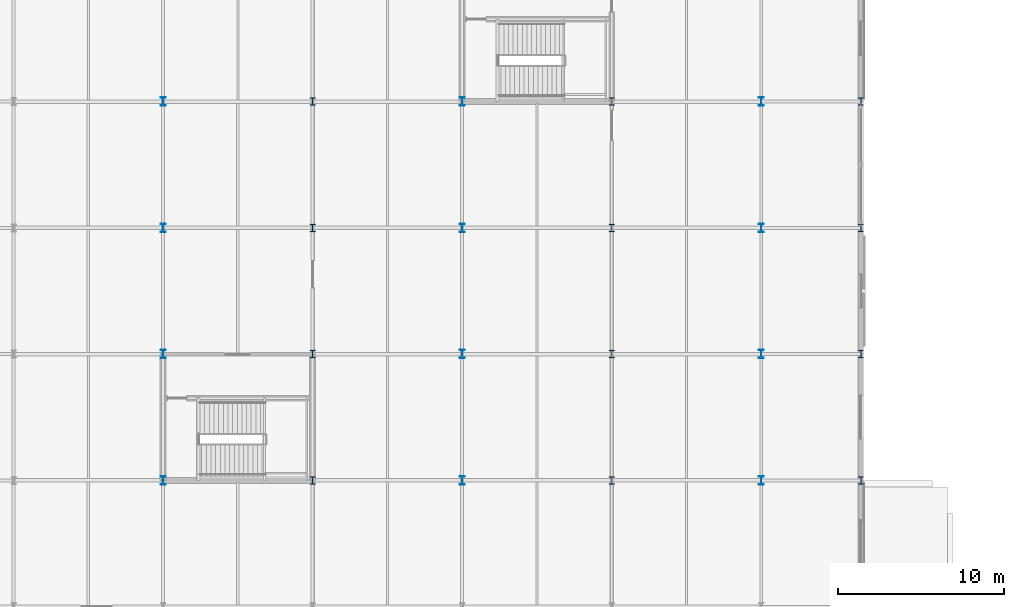
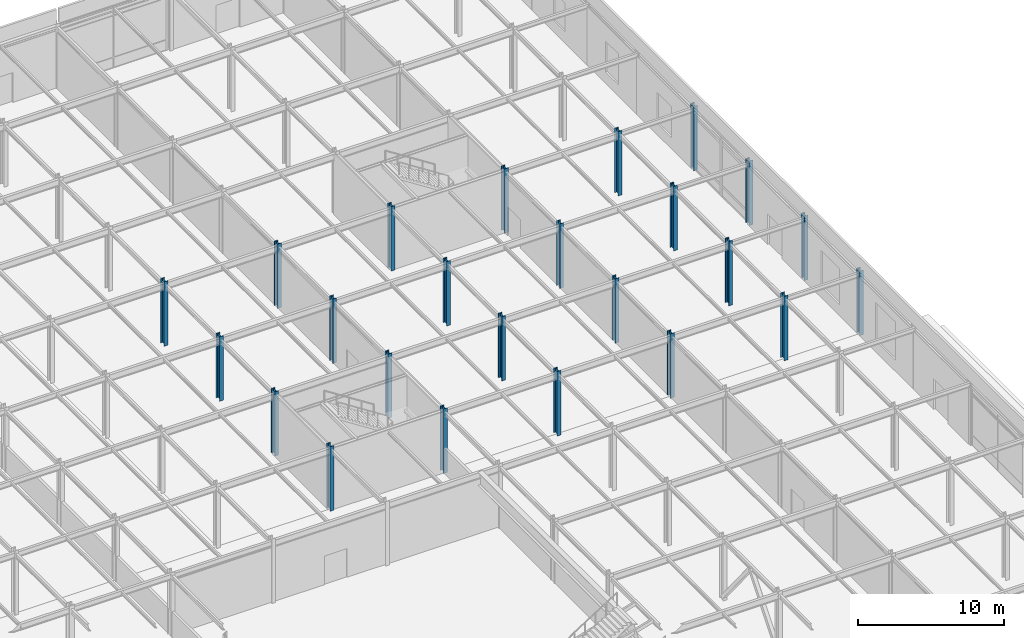
# One storey, part 19 of 89: 24 columns.
"""IFC4 building model written with IfcOpenShell, lengths in metres."""

from ifc_helpers import new_model, si_unit, direction, frame, origin, origin_2d, place, context, subcontext, project, spatial, i_section, extrude, material, material_profile, profile_set, type_object, element, save


model = new_model("IFC4")

# Units and contexts
model_context = context("Model", 3, precision=1e-05, world=origin(), true_north=direction((0.0, 1.0)))
body_context = subcontext(model_context, "Body", "Model", "MODEL_VIEW")
ifc_project = project(units=[si_unit("LENGTHUNIT", "METRE"), si_unit("AREAUNIT", "SQUARE_METRE"), si_unit("VOLUMEUNIT", "CUBIC_METRE"), si_unit("PLANEANGLEUNIT", "RADIAN"), si_unit("MASSUNIT", "GRAM", prefix="KILO")], contexts=[model_context])

# Site, building, storey
site_placement = place(None, origin())
site = spatial("IfcSite", under=ifc_project, at=site_placement, CompositionType="ELEMENT")
building_placement = place(site_placement, origin())
building = spatial("IfcBuilding", under=site, at=building_placement, Name="Shalkamar Park Central Library", CompositionType="ELEMENT")
storey_placement = place(building_placement, origin())
storey = spatial("IfcBuildingStorey", under=building, at=storey_placement, Name="L01", CompositionType="ELEMENT", Elevation=0.0)

# Columns
ifc_material = material(Name="Steel S355", Category="steel")
ifc_material_profile_1 = material_profile(ifc_material, i_section(OverallWidth=0.300048828125, OverallDepth=0.449951171875, WebThickness=0.013916015625, FlangeThickness=0.02587890625, FilletRadius=0.027099609375, at=origin_2d()), Name="HEB 450")
ifc_profile_set_1 = profile_set([ifc_material_profile_1], Name="Steel S355")
column_type_1 = type_object("IfcColumnType", Name="Column Steel HEB450", PredefinedType="COLUMN", material=ifc_profile_set_1)
for number, where, z_axis, x_axis, name in (
    (1, (255.0, 300.800048828125, 0.0), (0.0, 0.0, 1.0), (1.0, 0.0, 0.0), "Column 18/J (L01)"),
    (2, (255.0, 308.39990234375, 0.0), (0.0, 0.0, 1.0), (1.0, 0.0, 0.0), "Column 18/K (L01)"),
    (3, (255.0, 316.0, 0.0), (0.0, 0.0, 1.0), (1.0, 0.0, 0.0), "Column 18/L (L01)"),
    (4, (255.0, 323.60009765625, 0.0), (0.0, 0.0, 1.0), (1.0, 0.0, 0.0), "Column 18/M (L01)"),
    (5, (273.0, 300.800048828125, 0.0), (0.0, 0.0, 1.0), (1.0, 0.0, 0.0), "Column 20/J (L01)"),
    (6, (273.0, 308.39990234375, 0.0), (0.0, 0.0, 1.0), (1.0, 0.0, 0.0), "Column 20/K (L01)"),
    (7, (273.0, 316.0, 0.0), (0.0, 0.0, 1.0), (1.0, 0.0, 0.0), "Column 20/L (L01)"),
    (8, (273.0, 323.60009765625, 0.0), (0.0, 0.0, 1.0), (1.0, 0.0, 0.0), "Column 20/M (L01)"),
    (9, (288.0, 300.800048828125, 0.0), (0.0, 0.0, 1.0), (1.0, 0.0, 0.0), "Column 22/J (L01)"),
    (10, (288.0, 308.39990234375, 0.0), (0.0, 0.0, 1.0), (1.0, 0.0, 0.0), "Column 22/K (L01)"),
    (11, (288.0, 316.0, 0.0), (0.0, 0.0, 1.0), (1.0, 0.0, 0.0), "Column 22/L (L01)"),
    (12, (288.0, 323.60009765625, 0.0), (0.0, 0.0, 1.0), (1.0, 0.0, 0.0), "Column 22/M (L01)"),
):
    element("IfcColumn", number, at=place(storey_placement, frame(where, z_axis=z_axis, x_axis=x_axis)), inside=storey, type_object=column_type_1, Name=name, PredefinedType="COLUMN", context=body_context, shape_type="SweptSolid", body=[
        extrude(i_section(OverallWidth=0.300048828125, OverallDepth=0.449951171875, WebThickness=0.013916015625, FlangeThickness=0.02587890625, FilletRadius=0.027099609375, at=origin_2d()), origin(), (0.0, 0.0, 1.0), 5.39990234375),
    ])
ifc_material_profile_2 = material_profile(ifc_material, i_section(OverallWidth=0.300048828125, OverallDepth=0.5, WebThickness=0.014404296875, FlangeThickness=0.028076171875, FilletRadius=0.027099609375, at=origin_2d()), Name="HEB 500")
ifc_profile_set_2 = profile_set([ifc_material_profile_2], Name="Steel S355")
column_type_2 = type_object("IfcColumnType", Name="Column Steel HEB500", PredefinedType="COLUMN", material=ifc_profile_set_2)
for number, where, z_axis, x_axis, name in (
    (13, (246.0, 300.800048828125, 0.0), (0.0, 0.0, 1.0), (1.0, 0.0, 0.0), "Column 17/J (L01)"),
    (14, (246.0, 308.39990234375, 0.0), (0.0, 0.0, 1.0), (1.0, 0.0, 0.0), "Column 17/K (L01)"),
    (15, (246.0, 316.0, 0.0), (0.0, 0.0, 1.0), (1.0, 0.0, 0.0), "Column 17/L (L01)"),
    (16, (246.0, 323.60009765625, 0.0), (0.0, 0.0, 1.0), (1.0, 0.0, 0.0), "Column 17/M (L01)"),
    (17, (264.0, 300.800048828125, 0.0), (0.0, 0.0, 1.0), (1.0, 0.0, 0.0), "Column 19/J (L01)"),
    (18, (264.0, 308.39990234375, 0.0), (0.0, 0.0, 1.0), (1.0, 0.0, 0.0), "Column 19/K (L01)"),
    (19, (264.0, 316.0, 0.0), (0.0, 0.0, 1.0), (1.0, 0.0, 0.0), "Column 19/L (L01)"),
    (20, (264.0, 323.60009765625, 0.0), (0.0, 0.0, 1.0), (1.0, 0.0, 0.0), "Column 19/M (L01)"),
    (21, (282.0, 300.800048828125, 0.0), (0.0, 0.0, 1.0), (1.0, 0.0, 0.0), "Column 21/J (L01)"),
    (22, (282.0, 308.39990234375, 0.0), (0.0, 0.0, 1.0), (1.0, 0.0, 0.0), "Column 21/K (L01)"),
    (23, (282.0, 316.0, 0.0), (0.0, 0.0, 1.0), (1.0, 0.0, 0.0), "Column 21/L (L01)"),
    (24, (282.0, 323.60009765625, 0.0), (0.0, 0.0, 1.0), (1.0, 0.0, 0.0), "Column 21/M (L01)"),
):
    element("IfcColumn", number, at=place(storey_placement, frame(where, z_axis=z_axis, x_axis=x_axis)), inside=storey, type_object=column_type_2, Name=name, PredefinedType="COLUMN", context=body_context, shape_type="SweptSolid", body=[
        extrude(i_section(OverallWidth=0.300048828125, OverallDepth=0.5, WebThickness=0.014404296875, FlangeThickness=0.028076171875, FilletRadius=0.027099609375, at=origin_2d()), origin(), (0.0, 0.0, 1.0), 5.39990234375),
    ])

save(model, "model.ifc")
